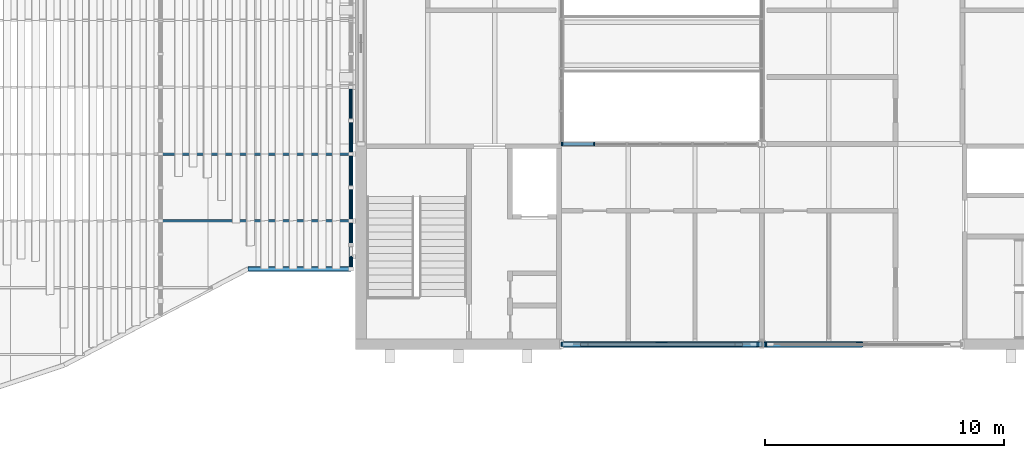
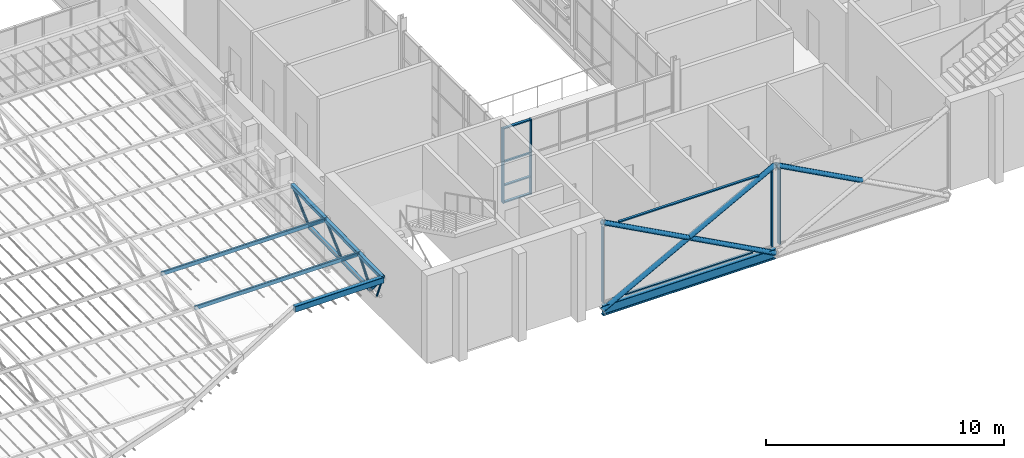
# One storey, part 28 of 129: 29 members, 2 beams, 3 elements without a shape of their own.
"""IFC4 building model written with IfcOpenShell, lengths in metres."""

from ifc_helpers import new_model, si_unit, direction, frame, origin, origin_2d, place, context, subcontext, project, spatial, rectangle, hollow_rectangle, hollow_circle, i_section, extrude, material, layer, layer_set, material_profile, profile_set, type_object, element, aggregate, save


model = new_model("IFC4")

# Units and contexts
model_context = context("Model", 3, precision=1e-05, world=origin(), true_north=direction((0.0, 1.0)))
body_context = subcontext(model_context, "Body", "Model", "MODEL_VIEW")
ifc_project = project(units=[si_unit("LENGTHUNIT", "METRE"), si_unit("AREAUNIT", "SQUARE_METRE"), si_unit("VOLUMEUNIT", "CUBIC_METRE"), si_unit("PLANEANGLEUNIT", "RADIAN"), si_unit("MASSUNIT", "GRAM", prefix="KILO")], contexts=[model_context])

# Site, building, storey
site_placement = place(None, origin())
site = spatial("IfcSite", under=ifc_project, at=site_placement, CompositionType="ELEMENT")
building_placement = place(site_placement, origin())
building = spatial("IfcBuilding", under=site, at=building_placement, Name="Ardhachandra Cancer Care Centre", CompositionType="ELEMENT")
storey_placement = place(building_placement, frame((0.0, 0.0, 4.5)))
storey = spatial("IfcBuildingStorey", under=building, at=storey_placement, Name="L01", CompositionType="ELEMENT", Elevation=4.5)

# Beam
ifc_material_1 = material(Name="Steel E350 (IS 2062)", Category="steel")
ifc_material_profile_1 = material_profile(ifc_material_1, i_section(OverallWidth=0.199951171875, OverallDepth=0.5, WebThickness=0.01025390625, FlangeThickness=0.01611328125, FilletRadius=0.02099609375, at=origin_2d()), Name="NPB 500x200x90.68")
ifc_profile_set_1 = profile_set([ifc_material_profile_1], Name="Steel E350 (IS 2062)")
beam_type_1 = type_object("IfcBeamType", Name="Beam NPB 500x200x90.68", PredefinedType="BEAM", material=ifc_profile_set_1)
beam_1_placement = place(storey_placement, frame((120.0, 29.39990234375, -0.39990234375), z_axis=(1.0, 0.0, 0.0), x_axis=(0.0, 1.0, 0.0)))
element("IfcBeam", 1, at=beam_1_placement, inside=storey, type_object=beam_type_1, Name="Edge girder C14-C15", PredefinedType="BEAM", context=body_context, shape_type="SweptSolid", body=[
    extrude(i_section(OverallWidth=0.199951171875, OverallDepth=0.5, WebThickness=0.01025390625, FlangeThickness=0.01611328125, FilletRadius=0.02099609375, at=origin_2d()), origin(), (0.0, 0.0, 1.0), 8.39990234375),
])

# Members
ifc_material_2 = material(Name="Steel E350 (IS 2062)", Category="steel")
ifc_material_profile_2 = material_profile(ifc_material_2, hollow_circle(Radius=0.122314453125, WallThickness=0.010009765625, at=origin_2d()), Name="CHS 244.5x10.0")
ifc_profile_set_2 = profile_set([ifc_material_profile_2], Name="Steel E350 (IS 2062)")
member_type_1 = type_object("IfcMemberType", Name="Brace CHS 244.5x10.0", PredefinedType="BRACE", material=ifc_profile_set_2)
member_1_placement = place(storey_placement, frame((120.0, 29.39990234375, -0.39990234375), z_axis=(0.880698672939, 0.0, 0.473676944217), x_axis=(0.0, 1.0, 0.0)))
element("IfcMember", 2, at=member_1_placement, inside=storey, type_object=member_type_1, Name="Brace V4-X294-1200 L01 A", PredefinedType="BRACE", context=body_context, shape_type="SweptSolid", body=[
    extrude(hollow_circle(Radius=0.122314453125, WallThickness=0.010009765625, at=origin_2d()), origin(), (0.0, 0.0, 1.0), 9.537841796875),
])
member_2_placement = place(storey_placement, frame((128.39990234375, 29.39990234375, -0.39990234375), z_axis=(-0.88070935116, 0.0, 0.473657089864), x_axis=(0.0, -1.0, 0.0)))
element("IfcMember", 3, at=member_2_placement, inside=storey, type_object=member_type_1, Name="Brace V4-X294-1200 L01 B1", PredefinedType="BRACE", context=body_context, shape_type="SweptSolid", body=[
    extrude(hollow_circle(Radius=0.122314453125, WallThickness=0.010009765625, at=origin_2d()), origin(), (0.0, 0.0, 1.0), 4.768798828125),
])
for number, where, z_axis, x_axis, name in (
    (4, (124.199951171875, 29.39990234375, 1.85888671875), (-0.88068799453, 0.0, 0.473696797848), (0.0, -1.0, 0.0), "Brace V4-X294-1200 L01 B2"),
    (5, (132.60009765625, 29.39990234375, 1.85888671875), (-0.880699481074, 0.0, 0.473675441664), (0.0, -1.0, 0.0), "Brace V4-X294-1284 L01 B2"),
):
    element("IfcMember", number, at=place(storey_placement, frame(where, z_axis=z_axis, x_axis=x_axis)), inside=storey, type_object=member_type_1, Name=name, PredefinedType="BRACE", context=body_context, shape_type="SweptSolid", body=[
        extrude(hollow_circle(Radius=0.122314453125, WallThickness=0.010009765625, at=origin_2d()), origin(), (0.0, 0.0, 1.0), 4.76904296875),
    ])
ifc_material_3 = material(Name="Steel E350 (IS 2062)", Category="steel")
ifc_material_profile_3 = material_profile(ifc_material_3, hollow_rectangle(XDim=0.10009765625, YDim=0.199951171875, WallThickness=0.006103515625, InnerFilletRadius=0.006103515625, OuterFilletRadius=0.011962890625, at=origin_2d()), Name="RHS 200x100x6.0")
ifc_profile_set_3 = profile_set([ifc_material_profile_3], Name="Steel E350 (IS 2062)")
member_type_2 = type_object("IfcMemberType", Name="Canopy purlin RHS 200x100x6.0", PredefinedType="PURLIN", material=ifc_profile_set_3)
for number, where, z_axis, x_axis, name in (
    (6, (103.199951171875, 37.375, 2.507568359375), (1.0, 0.0, 0.0), (0.0, 1.0, 0.0), "Canopy purlin 6-8"),
    (7, (103.199951171875, 34.574951171875, 2.451416015625), (1.0, 0.0, 0.0), (0.0, 1.0, 0.0), "Canopy purlin 7-8"),
):
    element("IfcMember", number, at=place(storey_placement, frame(where, z_axis=z_axis, x_axis=x_axis)), inside=storey, type_object=member_type_2, Name=name, PredefinedType="PURLIN", context=body_context, shape_type="SweptSolid", body=[
        extrude(hollow_rectangle(XDim=0.10009765625, YDim=0.199951171875, WallThickness=0.006103515625, InnerFilletRadius=0.006103515625, OuterFilletRadius=0.011962890625, at=origin_2d()), origin(), (0.0, 0.0, 1.0), 7.985107421875),
    ])

# Beam
ifc_material_4 = material(Name="Steel E350 (IS 2062)", Category="steel")
ifc_material_profile_4 = material_profile(ifc_material_4, hollow_rectangle(XDim=0.199951171875, YDim=0.300048828125, WallThickness=0.010009765625, InnerFilletRadius=0.010009765625, OuterFilletRadius=0.02001953125, at=origin_2d()), Name="RHS 300x200x10.0")
ifc_profile_set_4 = profile_set([ifc_material_profile_4], Name="Steel E350 (IS 2062)")
beam_type_2 = type_object("IfcBeamType", Name="Canopy ring and eave beam RHS 300x200x10.0", PredefinedType="BEAM", material=ifc_profile_set_4)
beam_2_placement = place(storey_placement, frame((106.87158203125, 32.557373046875, 2.361083984375), z_axis=(1.0, 0.0, 0.0), x_axis=(0.0, 1.0, 0.0)))
element("IfcBeam", 8, at=beam_2_placement, inside=storey, type_object=beam_type_2, Name="Canopy ring beam 16", PredefinedType="BEAM", context=body_context, shape_type="SweptSolid", body=[
    extrude(hollow_rectangle(XDim=0.199951171875, YDim=0.300048828125, WallThickness=0.010009765625, InnerFilletRadius=0.010009765625, OuterFilletRadius=0.02001953125, at=origin_2d()), origin(), (0.0, 0.0, 1.0), 4.3134765625),
])

# Members
ifc_material_5 = material(Name="Steel E350 (IS 2062)", Category="steel")
ifc_material_profile_5 = material_profile(ifc_material_5, hollow_rectangle(XDim=0.14990234375, YDim=0.14990234375, WallThickness=0.006103515625, InnerFilletRadius=0.006103515625, OuterFilletRadius=0.011962890625, at=origin_2d()), Name="SHS 150x150x6.0")
ifc_profile_set_5 = profile_set([ifc_material_profile_5], Name="Steel E350 (IS 2062)")
member_type_3 = type_object("IfcMemberType", Name="Canopy truss bottom chord SHS 150x150x6.0", PredefinedType="CHORD", material=ifc_profile_set_5)
member_3_placement = place(storey_placement, frame((111.18505859375, 38.77490234375, 1.310546875), z_axis=(0.0, -0.999798942946, -0.020051775103), x_axis=(1.0, 0.0, 0.0)))
element("IfcMember", 9, at=member_3_placement, inside=storey, type_object=member_type_3, Name="Canopy truss 9 bottom chord BC15", PredefinedType="CHORD", context=body_context, shape_type="SweptSolid", body=[
    extrude(hollow_rectangle(XDim=0.14990234375, YDim=0.14990234375, WallThickness=0.006103515625, InnerFilletRadius=0.006103515625, OuterFilletRadius=0.011962890625, at=origin_2d()), origin(), (0.0, 0.0, 1.0), 2.80029296875),
])
member_4_placement = place(storey_placement, frame((111.18505859375, 35.97509765625, 1.25439453125), z_axis=(0.0, -0.99980074814, -0.019961563533), x_axis=(1.0, 0.0, 0.0)))
element("IfcMember", 10, at=member_4_placement, inside=storey, type_object=member_type_3, Name="Canopy truss 9 bottom chord BC16", PredefinedType="CHORD", context=body_context, shape_type="SweptSolid", body=[
    extrude(hollow_rectangle(XDim=0.14990234375, YDim=0.14990234375, WallThickness=0.006103515625, InnerFilletRadius=0.006103515625, OuterFilletRadius=0.011962890625, at=origin_2d()), origin(), (0.0, 0.0, 1.0), 2.409423828125),
])
ifc_material_6 = material(Name="Steel E350 (IS 2062)", Category="steel")
ifc_material_profile_6 = material_profile(ifc_material_6, hollow_circle(Radius=0.05712890625, WallThickness=0.0048828125, at=origin_2d()), Name="CHS 114.3x5.0")
ifc_profile_set_6 = profile_set([ifc_material_profile_6], Name="Steel E350 (IS 2062)")
member_type_4 = type_object("IfcMemberType", Name="Canopy truss diagonal CHS 114.3x5.0", PredefinedType="BRACE", material=ifc_profile_set_6)
member_5_placement = place(storey_placement, frame((111.18505859375, 40.175048828125, 2.573486328125), z_axis=(0.0, -0.742553308775, -0.669786968839), x_axis=(1.0, 0.0, 0.0)))
element("IfcMember", 11, at=member_5_placement, inside=storey, type_object=member_type_4, Name="Canopy truss 9 web diagonal WD28", PredefinedType="BRACE", context=body_context, shape_type="SweptSolid", body=[
    extrude(hollow_circle(Radius=0.05712890625, WallThickness=0.0048828125, at=origin_2d()), origin(), (0.0, 0.0, 1.0), 1.885498046875),
])
member_6_placement = place(storey_placement, frame((111.18505859375, 38.77490234375, 1.310546875), z_axis=(0.0, -0.757351396119, 0.653007551868), x_axis=(1.0, 0.0, 0.0)))
element("IfcMember", 12, at=member_6_placement, inside=storey, type_object=member_type_4, Name="Canopy truss 9 web diagonal WD29", PredefinedType="BRACE", context=body_context, shape_type="SweptSolid", body=[
    extrude(hollow_circle(Radius=0.05712890625, WallThickness=0.0048828125, at=origin_2d()), origin(), (0.0, 0.0, 1.0), 1.848388671875),
])
member_7_placement = place(storey_placement, frame((111.18505859375, 37.375, 2.517578125), z_axis=(0.0, -0.742430813776, -0.669922746857), x_axis=(1.0, 0.0, 0.0)))
element("IfcMember", 13, at=member_7_placement, inside=storey, type_object=member_type_4, Name="Canopy truss 9 web diagonal WD30", PredefinedType="BRACE", context=body_context, shape_type="SweptSolid", body=[
    extrude(hollow_circle(Radius=0.05712890625, WallThickness=0.0048828125, at=origin_2d()), origin(), (0.0, 0.0, 1.0), 1.885498046875),
])
member_8_placement = place(storey_placement, frame((111.18505859375, 35.97509765625, 1.25439453125), z_axis=(0.0, -0.75740770942, 0.65294223459), x_axis=(1.0, 0.0, 0.0)))
element("IfcMember", 14, at=member_8_placement, inside=storey, type_object=member_type_4, Name="Canopy truss 9 web diagonal WD31", PredefinedType="BRACE", context=body_context, shape_type="SweptSolid", body=[
    extrude(hollow_circle(Radius=0.05712890625, WallThickness=0.0048828125, at=origin_2d()), origin(), (0.0, 0.0, 1.0), 1.8486328125),
])
member_9_placement = place(storey_placement, frame((111.18505859375, 34.574951171875, 2.46142578125), z_axis=(0.0, -0.626468425066, -0.779446798951), x_axis=(1.0, 0.0, 0.0)))
element("IfcMember", 15, at=member_9_placement, inside=storey, type_object=member_type_4, Name="Canopy truss 9 web diagonal WD32", PredefinedType="BRACE", context=body_context, shape_type="SweptSolid", body=[
    extrude(hollow_circle(Radius=0.05712890625, WallThickness=0.0048828125, at=origin_2d()), origin(), (0.0, 0.0, 1.0), 1.6103515625),
])
member_10_placement = place(storey_placement, frame((111.18505859375, 33.566162109375, 1.206298828125), z_axis=(0.0, -0.638845171709, 0.769335327789), x_axis=(1.0, 0.0, 0.0)))
element("IfcMember", 16, at=member_10_placement, inside=storey, type_object=member_type_4, Name="Canopy truss 9 web diagonal WD33", PredefinedType="BRACE", context=body_context, shape_type="SweptSolid", body=[
    extrude(hollow_circle(Radius=0.05712890625, WallThickness=0.0048828125, at=origin_2d()), origin(), (0.0, 0.0, 1.0), 1.5791015625),
])
ifc_material_7 = material(Name="Steel E350 (IS 2062)", Category="steel")
ifc_material_profile_7 = material_profile(ifc_material_7, hollow_circle(Radius=0.04443359375, WallThickness=0.00390625, at=origin_2d()), Name="CHS 88.9x4.0")
ifc_profile_set_7 = profile_set([ifc_material_profile_7], Name="Steel E350 (IS 2062)")
member_type_5 = type_object("IfcMemberType", Name="Canopy truss post CHS 88.9x4.0", PredefinedType="POST", material=ifc_profile_set_7)
member_11_placement = place(storey_placement, frame((111.18505859375, 32.557373046875, 2.421142578125), z_axis=(0.0, 0.384079551381, -0.923300004446), x_axis=(-1.0, 0.0, 0.0)))
element("IfcMember", 17, at=member_11_placement, inside=storey, type_object=member_type_5, Name="Canopy truss 9 web vertical WV35", PredefinedType="POST", context=body_context, shape_type="SweptSolid", body=[
    extrude(hollow_circle(Radius=0.04443359375, WallThickness=0.00390625, at=origin_2d()), origin(), (0.0, 0.0, 1.0), 1.32666015625),
])
ifc_material_8 = material(Name="Steel E350 (IS 2062)", Category="steel")
ifc_material_profile_8 = material_profile(ifc_material_8, hollow_rectangle(XDim=0.179931640625, YDim=0.179931640625, WallThickness=0.008056640625, InnerFilletRadius=0.008056640625, OuterFilletRadius=0.01611328125, at=origin_2d()), Name="SHS 180x180x8.0")
ifc_profile_set_8 = profile_set([ifc_material_profile_8], Name="Steel E350 (IS 2062)")
member_type_6 = type_object("IfcMemberType", Name="Canopy truss top chord SHS 180x180x8.0", PredefinedType="CHORD", material=ifc_profile_set_8)
for number, where, z_axis, x_axis, name in (
    (18, (111.18505859375, 40.175048828125, 2.573486328125), (0.0, -0.999800721691, -0.019962888244), (1.0, 0.0, 0.0), "Canopy truss 9 top chord TC6"),
    (19, (111.18505859375, 37.375, 2.517578125), (0.0, -0.999798977995, -0.02005002746), (1.0, 0.0, 0.0), "Canopy truss 9 top chord TC7"),
):
    element("IfcMember", number, at=place(storey_placement, frame(where, z_axis=z_axis, x_axis=x_axis)), inside=storey, type_object=member_type_6, Name=name, PredefinedType="CHORD", context=body_context, shape_type="SweptSolid", body=[
        extrude(hollow_rectangle(XDim=0.179931640625, YDim=0.179931640625, WallThickness=0.008056640625, InnerFilletRadius=0.008056640625, OuterFilletRadius=0.01611328125, at=origin_2d()), origin(), (0.0, 0.0, 1.0), 2.800537109375),
    ])
member_12_placement = place(storey_placement, frame((111.18505859375, 34.574951171875, 2.46142578125), z_axis=(0.0, -0.999800736639, -0.019962139587), x_axis=(1.0, 0.0, 0.0)))
element("IfcMember", 20, at=member_12_placement, inside=storey, type_object=member_type_6, Name="Canopy truss 9 top chord TC8", PredefinedType="CHORD", context=body_context, shape_type="SweptSolid", body=[
    extrude(hollow_rectangle(XDim=0.179931640625, YDim=0.179931640625, WallThickness=0.008056640625, InnerFilletRadius=0.008056640625, OuterFilletRadius=0.01611328125, at=origin_2d()), origin(), (0.0, 0.0, 1.0), 2.01806640625),
])

# Curtain wall, members
ifc_material_9 = material(Name="Aluminium extrusion", Category="aluminium")
ifc_layer = layer(ifc_material_9, 0.14990234375)
ifc_layer_set = layer_set([ifc_layer], Name="Aluminium extrusion")
curtain_wall_type = type_object("IfcCurtainWallType", Name="Curtain wall run", PredefinedType="NOTDEFINED", material=ifc_layer_set)
curtain_wall_1_placement = place(storey_placement, origin())
curtain_wall_1 = element("IfcCurtainWall", 21, at=curtain_wall_1_placement, inside=storey, type_object=curtain_wall_type, Name="Curtain wall L01 n/0120000_0037800", PredefinedType="NOTDEFINED")
ifc_material_10 = material(Name="Aluminium extrusion", Category="aluminium")
ifc_material_profile_9 = material_profile(ifc_material_10, rectangle(XDim=0.159912109375, YDim=0.06005859375, at=origin_2d()), Name="Curtain wall mullion 60 x 160")
ifc_profile_set_9 = profile_set([ifc_material_profile_9], Name="Aluminium extrusion")
member_type_7 = type_object("IfcMemberType", Name="Curtain wall mullion 60 x 160", PredefinedType="MULLION", material=ifc_profile_set_9)
member_13_placement = place(storey_placement, frame((120.030029296875, 37.800048828125, 0.0), z_axis=(0.0, 0.0, 1.0), x_axis=(0.0, 1.0, 0.0)))
member_13 = element("IfcMember", 22, at=member_13_placement, type_object=member_type_7, Name="CW mullion 1", PredefinedType="MULLION", context=body_context, shape_type="SweptSolid", body=[
    extrude(rectangle(XDim=0.159912109375, YDim=0.06005859375, at=origin_2d()), origin(), (0.0, 0.0, 1.0), 3.85009765625),
])
member_14_placement = place(storey_placement, frame((121.375, 37.800048828125, 0.0), z_axis=(0.0, 0.0, 1.0), x_axis=(0.0, 1.0, 0.0)))
member_14 = element("IfcMember", 23, at=member_14_placement, type_object=member_type_7, Name="CW mullion 2", PredefinedType="MULLION", context=body_context, shape_type="SweptSolid", body=[
    extrude(rectangle(XDim=0.159912109375, YDim=0.06005859375, at=origin_2d()), origin(), (0.0, 0.0, 1.0), 3.85009765625),
])

curtain_wall_2_placement = place(storey_placement, origin())
curtain_wall_2 = element("IfcCurtainWall", 24, at=curtain_wall_2_placement, inside=storey, type_object=curtain_wall_type, Name="Curtain wall L01 s/0120000_0029400", PredefinedType="NOTDEFINED")
member_15_placement = place(storey_placement, frame((120.030029296875, 29.39990234375, 0.0), z_axis=(0.0, 0.0, 1.0), x_axis=(0.0, 1.0, 0.0)))
member_15 = element("IfcMember", 25, at=member_15_placement, type_object=member_type_7, Name="CW mullion 1", PredefinedType="MULLION", context=body_context, shape_type="SweptSolid", body=[
    extrude(rectangle(XDim=0.159912109375, YDim=0.06005859375, at=origin_2d()), origin(), (0.0, 0.0, 1.0), 3.885986328125),
])
member_16_placement = place(storey_placement, frame((128.219970703125, 29.39990234375, 0.0), z_axis=(0.0, 0.0, 1.0), x_axis=(0.0, 1.0, 0.0)))
member_16 = element("IfcMember", 26, at=member_16_placement, type_object=member_type_7, Name="CW mullion 2", PredefinedType="MULLION", context=body_context, shape_type="SweptSolid", body=[
    extrude(rectangle(XDim=0.159912109375, YDim=0.06005859375, at=origin_2d()), origin(), (0.0, 0.0, 1.0), 3.864990234375),
])

# Curtain wall, member
curtain_wall_3_placement = place(storey_placement, origin())
curtain_wall_3 = element("IfcCurtainWall", 27, at=curtain_wall_3_placement, inside=storey, type_object=curtain_wall_type, Name="Curtain wall L01 s/0128400_0029400", PredefinedType="NOTDEFINED")
member_17_placement = place(storey_placement, frame((128.580078125, 29.39990234375, 0.0), z_axis=(0.0, 0.0, 1.0), x_axis=(0.0, 1.0, 0.0)))
member_17 = element("IfcMember", 28, at=member_17_placement, type_object=member_type_7, Name="CW mullion 1", PredefinedType="MULLION", context=body_context, shape_type="SweptSolid", body=[
    extrude(rectangle(XDim=0.159912109375, YDim=0.06005859375, at=origin_2d()), origin(), (0.0, 0.0, 1.0), 3.864990234375),
])
aggregate(curtain_wall_3, [member_17])

# Member
ifc_material_11 = material(Name="Aluminium extrusion", Category="aluminium")
ifc_material_profile_10 = material_profile(ifc_material_11, rectangle(XDim=0.1201171875, YDim=0.06005859375, at=origin_2d()), Name="Curtain wall transom 60 x 120")
ifc_profile_set_10 = profile_set([ifc_material_profile_10], Name="Aluminium extrusion")
member_type_8 = type_object("IfcMemberType", Name="Curtain wall transom 60 x 120", PredefinedType="USERDEFINED", material=ifc_profile_set_10)
member_18_placement = place(storey_placement, frame((120.06005859375, 37.800048828125, 0.030029296875), z_axis=(1.0, 0.0, 0.0), x_axis=(0.0, 1.0, 0.0)))
member_18 = element("IfcMember", 29, at=member_18_placement, type_object=member_type_8, Name="CW transom 1.1", ObjectType="TRANSOM", PredefinedType="USERDEFINED", context=body_context, shape_type="SweptSolid", body=[
    extrude(rectangle(XDim=0.1201171875, YDim=0.06005859375, at=origin_2d()), origin(), (0.0, 0.0, 1.0), 1.284912109375),
])

member_19_placement = place(storey_placement, frame((120.06005859375, 37.800048828125, 0.89990234375), z_axis=(1.0, 0.0, 0.0), x_axis=(0.0, 1.0, 0.0)))
member_19 = element("IfcMember", 30, at=member_19_placement, type_object=member_type_8, Name="CW transom 1.2", ObjectType="TRANSOM", PredefinedType="USERDEFINED", context=body_context, shape_type="SweptSolid", body=[
    extrude(rectangle(XDim=0.1201171875, YDim=0.06005859375, at=origin_2d()), origin(), (0.0, 0.0, 1.0), 1.284912109375),
])

member_20_placement = place(storey_placement, frame((120.06005859375, 37.800048828125, 2.10009765625), z_axis=(1.0, 0.0, 0.0), x_axis=(0.0, 1.0, 0.0)))
member_20 = element("IfcMember", 31, at=member_20_placement, type_object=member_type_8, Name="CW transom 1.3", ObjectType="TRANSOM", PredefinedType="USERDEFINED", context=body_context, shape_type="SweptSolid", body=[
    extrude(rectangle(XDim=0.1201171875, YDim=0.06005859375, at=origin_2d()), origin(), (0.0, 0.0, 1.0), 1.284912109375),
])

member_21_placement = place(storey_placement, frame((120.06005859375, 37.800048828125, 3.820068359375), z_axis=(1.0, 0.0, 0.0), x_axis=(0.0, 1.0, 0.0)))
member_21 = element("IfcMember", 32, at=member_21_placement, type_object=member_type_8, Name="CW transom 1.4", ObjectType="TRANSOM", PredefinedType="USERDEFINED", context=body_context, shape_type="SweptSolid", body=[
    extrude(rectangle(XDim=0.1201171875, YDim=0.06005859375, at=origin_2d()), origin(), (0.0, 0.0, 1.0), 1.284912109375),
])

aggregate(curtain_wall_1, [member_13, member_14, member_18, member_19, member_20, member_21])

member_22_placement = place(storey_placement, frame((121.115966796875, 29.39990234375, 0.030029296875), z_axis=(1.0, 0.0, 0.0), x_axis=(0.0, 1.0, 0.0)))
member_22 = element("IfcMember", 33, at=member_22_placement, type_object=member_type_8, Name="CW transom 1.1", ObjectType="TRANSOM", PredefinedType="USERDEFINED", context=body_context, shape_type="SweptSolid", body=[
    extrude(rectangle(XDim=0.1201171875, YDim=0.06005859375, at=origin_2d()), origin(), (0.0, 0.0, 1.0), 6.168212890625),
])

member_23_placement = place(storey_placement, frame((120.803466796875, 29.39990234375, 3.85595703125), z_axis=(1.0, 0.0, 0.0), x_axis=(0.0, 1.0, 0.0)))
member_23 = element("IfcMember", 34, at=member_23_placement, type_object=member_type_8, Name="CW transom 1.2", ObjectType="TRANSOM", PredefinedType="USERDEFINED", context=body_context, shape_type="SweptSolid", body=[
    extrude(rectangle(XDim=0.1201171875, YDim=0.06005859375, at=origin_2d()), origin(), (0.0, 0.0, 1.0), 6.79296875),
])

aggregate(curtain_wall_2, [member_15, member_16, member_22, member_23])

save(model, "model.ifc")
